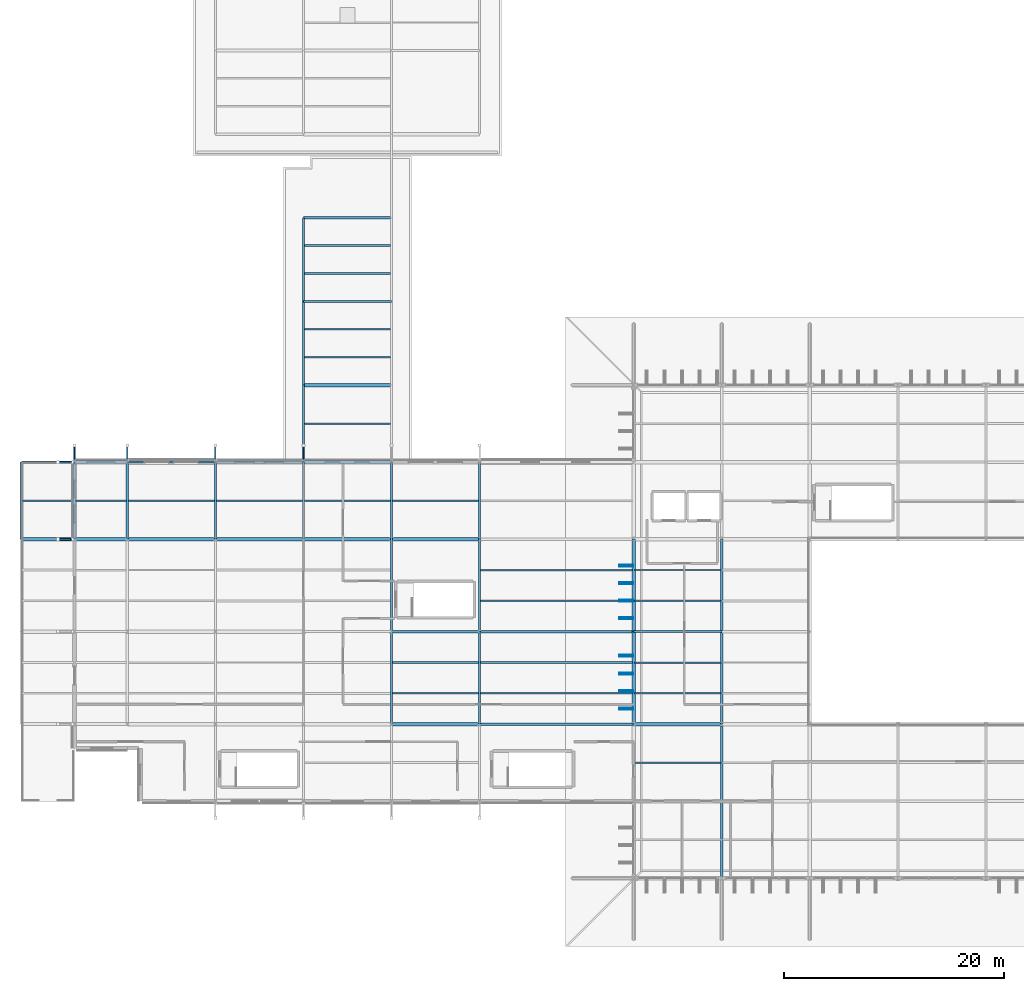
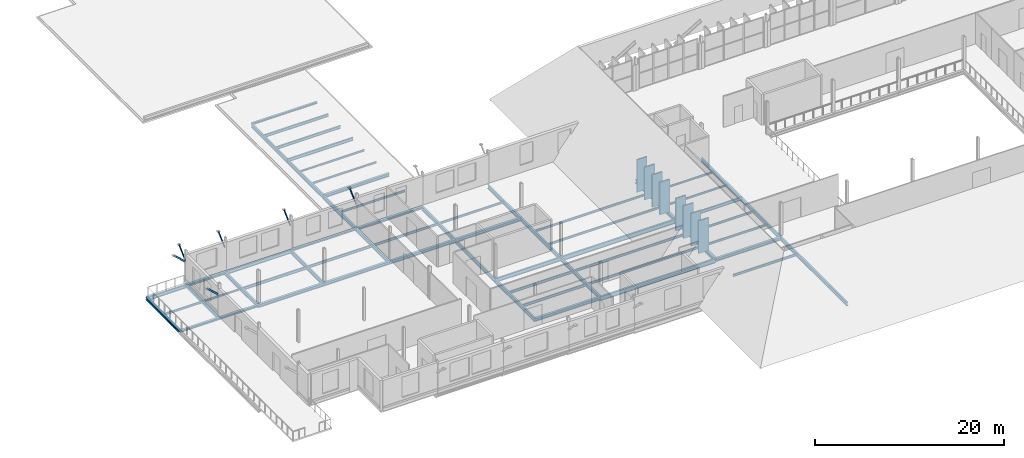
# One storey, part 21 of 93: 61 beams, 14 members.
"""IFC4 building model written with IfcOpenShell, lengths in metres."""

from ifc_helpers import new_model, si_unit, direction, frame, origin, origin_2d, place, context, subcontext, project, spatial, hollow_rectangle, i_section, extrude, material, material_profile, profile_set, type_object, element, save


model = new_model("IFC4")

# Units and contexts
model_context = context("Model", 3, precision=1e-05, world=origin(), true_north=direction((0.0, 1.0)))
body_context = subcontext(model_context, "Body", "Model", "MODEL_VIEW")
ifc_project = project(units=[si_unit("LENGTHUNIT", "METRE"), si_unit("AREAUNIT", "SQUARE_METRE"), si_unit("VOLUMEUNIT", "CUBIC_METRE"), si_unit("PLANEANGLEUNIT", "RADIAN"), si_unit("MASSUNIT", "GRAM", prefix="KILO")], contexts=[model_context])

# Site, building, storey
site_placement = place(None, origin())
site = spatial("IfcSite", under=ifc_project, at=site_placement, CompositionType="ELEMENT")
building_placement = place(site_placement, origin())
building = spatial("IfcBuilding", under=site, at=building_placement, Name="Vekula Escarpment Museum", CompositionType="ELEMENT")
storey_placement = place(building_placement, frame((0.0, 0.0, 22.199951171875)))
storey = spatial("IfcBuildingStorey", under=building, at=storey_placement, Name="L05", CompositionType="ELEMENT", Elevation=22.199951171875)

# Beams
ifc_material_1 = material(Name="Steel S355", Category="steel")
ifc_material_profile_1 = material_profile(ifc_material_1, i_section(OverallWidth=0.300048828125, OverallDepth=0.300048828125, WebThickness=0.010986328125, FlangeThickness=0.01904296875, FilletRadius=0.027099609375, at=origin_2d()), Name="HEB 300")
ifc_profile_set_1 = profile_set([ifc_material_profile_1], Name="Steel S355")
beam_type_1 = type_object("IfcBeamType", Name="BM-GIRD-HEB300", PredefinedType="BEAM", material=ifc_profile_set_1)
beam_1_placement = place(storey_placement, frame((40.0, 83.39990234375, -0.369873046875), z_axis=(1.0, 0.0, 0.0), x_axis=(0.0, 1.0, 0.0)))
element("IfcBeam", 1, at=beam_1_placement, inside=storey, type_object=beam_type_1, Name="Beam X L05 2033", PredefinedType="BEAM", context=body_context, shape_type="SweptSolid", body=[
    extrude(i_section(OverallWidth=0.300048828125, OverallDepth=0.300048828125, WebThickness=0.010986328125, FlangeThickness=0.01904296875, FilletRadius=0.027099609375, at=origin_2d()), origin(), (0.0, 0.0, 1.0), 8.0),
])
ifc_material_2 = material(Name="Steel S355", Category="steel")
ifc_material_profile_2 = material_profile(ifc_material_2, i_section(OverallWidth=0.300048828125, OverallDepth=0.320068359375, WebThickness=0.011474609375, FlangeThickness=0.0205078125, FilletRadius=0.027099609375, at=origin_2d()), Name="HEB 320")
ifc_profile_set_2 = profile_set([ifc_material_profile_2], Name="Steel S355")
beam_type_2 = type_object("IfcBeamType", Name="BM-GIRD-HEB320", PredefinedType="BEAM", material=ifc_profile_set_2)
beam_2_placement = place(storey_placement, frame((19.199951171875, 83.39990234375, -0.3798828125), z_axis=(1.0, 0.0, 0.0), x_axis=(0.0, 1.0, 0.0)))
element("IfcBeam", 2, at=beam_2_placement, inside=storey, type_object=beam_type_2, Name="Beam X L05 2030", PredefinedType="BEAM", context=body_context, shape_type="SweptSolid", body=[
    extrude(i_section(OverallWidth=0.300048828125, OverallDepth=0.320068359375, WebThickness=0.011474609375, FlangeThickness=0.0205078125, FilletRadius=0.027099609375, at=origin_2d()), origin(), (0.0, 0.0, 1.0), 4.800048828125),
])
ifc_material_3 = material(Name="Steel S355", Category="steel")
ifc_material_profile_3 = material_profile(ifc_material_3, i_section(OverallWidth=0.179931640625, OverallDepth=0.39990234375, WebThickness=0.008544921875, FlangeThickness=0.013427734375, FilletRadius=0.02099609375, at=origin_2d()), Name="IPE 400")
ifc_profile_set_3 = profile_set([ifc_material_profile_3], Name="Steel S355")
beam_type_3 = type_object("IfcBeamType", Name="BM-GIRD-IPE400", PredefinedType="BEAM", material=ifc_profile_set_3)
for number, where, z_axis, x_axis, name in (
    (3, (70.0, 68.0, -0.419921875), (1.0, 0.0, 0.0), (0.0, 1.0, 0.0), "Beam X L05 1999"),
    (4, (40.0, 98.0, -0.39990234375), (1.0, 0.0, 0.0), (0.0, 1.0, 0.0), "Beam X L05 2055"),
):
    element("IfcBeam", number, at=place(storey_placement, frame(where, z_axis=z_axis, x_axis=x_axis)), inside=storey, type_object=beam_type_3, Name=name, PredefinedType="BEAM", context=body_context, shape_type="SweptSolid", body=[
        extrude(i_section(OverallWidth=0.179931640625, OverallDepth=0.39990234375, WebThickness=0.008544921875, FlangeThickness=0.013427734375, FilletRadius=0.02099609375, at=origin_2d()), origin(), (0.0, 0.0, 1.0), 8.0),
    ])
ifc_material_4 = material(Name="Steel S355", Category="steel")
ifc_material_profile_4 = material_profile(ifc_material_4, i_section(OverallWidth=0.18994140625, OverallDepth=0.449951171875, WebThickness=0.009521484375, FlangeThickness=0.0146484375, FilletRadius=0.02099609375, at=origin_2d()), Name="IPE 450")
ifc_profile_set_4 = profile_set([ifc_material_profile_4], Name="Steel S355")
beam_type_4 = type_object("IfcBeamType", Name="BM-GIRD-IPE450", PredefinedType="BEAM", material=ifc_profile_set_4)
beam_3_placement = place(storey_placement, frame((14.39990234375, 83.39990234375, -0.445068359375), z_axis=(1.0, 0.0, 0.0), x_axis=(0.0, 1.0, 0.0)))
element("IfcBeam", 5, at=beam_3_placement, inside=storey, type_object=beam_type_4, Name="Beam X L05 2029", PredefinedType="BEAM", context=body_context, shape_type="SweptSolid", body=[
    extrude(i_section(OverallWidth=0.18994140625, OverallDepth=0.449951171875, WebThickness=0.009521484375, FlangeThickness=0.0146484375, FilletRadius=0.02099609375, at=origin_2d()), origin(), (0.0, 0.0, 1.0), 4.800048828125),
])
beam_4_placement = place(storey_placement, frame((24.0, 83.39990234375, -0.445068359375), z_axis=(1.0, 0.0, 0.0), x_axis=(0.0, 1.0, 0.0)))
element("IfcBeam", 6, at=beam_4_placement, inside=storey, type_object=beam_type_4, Name="Beam X L05 2031", PredefinedType="BEAM", context=body_context, shape_type="SweptSolid", body=[
    extrude(i_section(OverallWidth=0.18994140625, OverallDepth=0.449951171875, WebThickness=0.009521484375, FlangeThickness=0.0146484375, FilletRadius=0.02099609375, at=origin_2d()), origin(), (0.0, 0.0, 1.0), 8.0),
])
ifc_material_5 = material(Name="Steel S355", Category="steel")
ifc_material_profile_5 = material_profile(ifc_material_5, i_section(OverallWidth=0.199951171875, OverallDepth=0.5, WebThickness=0.01025390625, FlangeThickness=0.01611328125, FilletRadius=0.02099609375, at=origin_2d()), Name="IPE 500")
ifc_profile_set_5 = profile_set([ifc_material_profile_5], Name="Steel S355")
beam_type_5 = type_object("IfcBeamType", Name="BM-GIRD-IPE500", PredefinedType="BEAM", material=ifc_profile_set_5)
beam_5_placement = place(storey_placement, frame((48.0, 68.0, -0.469970703125), z_axis=(1.0, 0.0, 0.0), x_axis=(0.0, 1.0, 0.0)))
element("IfcBeam", 7, at=beam_5_placement, inside=storey, type_object=beam_type_5, Name="Beam X L05 1997", PredefinedType="BEAM", context=body_context, shape_type="SweptSolid", body=[
    extrude(i_section(OverallWidth=0.199951171875, OverallDepth=0.5, WebThickness=0.01025390625, FlangeThickness=0.01611328125, FilletRadius=0.02099609375, at=origin_2d()), origin(), (0.0, 0.0, 1.0), 8.0),
])
for number, where, z_axis, x_axis, name in (
    (8, (24.0, 76.39990234375, -0.469970703125), (0.0, 1.0, 0.0), (-1.0, 0.0, 0.0), "Beam Y L05 2087"),
    (9, (32.0, 76.39990234375, -0.469970703125), (0.0, 1.0, 0.0), (-1.0, 0.0, 0.0), "Beam Y L05 2091"),
    (10, (40.0, 76.39990234375, -0.469970703125), (0.0, 1.0, 0.0), (-1.0, 0.0, 0.0), "Beam Y L05 2097"),
    (11, (40.0, 83.39990234375, -0.469970703125), (0.0, 1.0, 0.0), (-1.0, 0.0, 0.0), "Beam Y L05 2098"),
):
    element("IfcBeam", number, at=place(storey_placement, frame(where, z_axis=z_axis, x_axis=x_axis)), inside=storey, type_object=beam_type_5, Name=name, PredefinedType="BEAM", context=body_context, shape_type="SweptSolid", body=[
        extrude(i_section(OverallWidth=0.199951171875, OverallDepth=0.5, WebThickness=0.01025390625, FlangeThickness=0.01611328125, FilletRadius=0.02099609375, at=origin_2d()), origin(), (0.0, 0.0, 1.0), 7.0),
    ])
for number, where, z_axis, x_axis, name in (
    (12, (40.0, 90.39990234375, -0.449951171875), (0.0, 1.0, 0.0), (-1.0, 0.0, 0.0), "Beam Y L05 2099"),
    (13, (40.0, 98.0, -0.449951171875), (0.0, 1.0, 0.0), (-1.0, 0.0, 0.0), "Beam Y L05 2100"),
):
    element("IfcBeam", number, at=place(storey_placement, frame(where, z_axis=z_axis, x_axis=x_axis)), inside=storey, type_object=beam_type_5, Name=name, PredefinedType="BEAM", context=body_context, shape_type="SweptSolid", body=[
        extrude(i_section(OverallWidth=0.199951171875, OverallDepth=0.5, WebThickness=0.01025390625, FlangeThickness=0.01611328125, FilletRadius=0.02099609375, at=origin_2d()), origin(), (0.0, 0.0, 1.0), 7.60009765625),
    ])
for number, where, z_axis, x_axis, name in (
    (14, (48.0, 59.60009765625, -0.469970703125), (0.0, 1.0, 0.0), (-1.0, 0.0, 0.0), "Beam Y L05 2105"),
    (15, (48.0, 68.0, -0.469970703125), (0.0, 1.0, 0.0), (-1.0, 0.0, 0.0), "Beam Y L05 2106"),
):
    element("IfcBeam", number, at=place(storey_placement, frame(where, z_axis=z_axis, x_axis=x_axis)), inside=storey, type_object=beam_type_5, Name=name, PredefinedType="BEAM", context=body_context, shape_type="SweptSolid", body=[
        extrude(i_section(OverallWidth=0.199951171875, OverallDepth=0.5, WebThickness=0.01025390625, FlangeThickness=0.01611328125, FilletRadius=0.02099609375, at=origin_2d()), origin(), (0.0, 0.0, 1.0), 8.39990234375),
    ])
beam_6_placement = place(storey_placement, frame((48.0, 76.39990234375, -0.469970703125), z_axis=(0.0, 1.0, 0.0), x_axis=(-1.0, 0.0, 0.0)))
element("IfcBeam", 16, at=beam_6_placement, inside=storey, type_object=beam_type_5, Name="Beam Y L05 2107", PredefinedType="BEAM", context=body_context, shape_type="SweptSolid", body=[
    extrude(i_section(OverallWidth=0.199951171875, OverallDepth=0.5, WebThickness=0.01025390625, FlangeThickness=0.01611328125, FilletRadius=0.02099609375, at=origin_2d()), origin(), (0.0, 0.0, 1.0), 7.0),
])
for number, where, z_axis, x_axis, name in (
    (17, (56.0, 59.60009765625, -0.469970703125), (0.0, 1.0, 0.0), (-1.0, 0.0, 0.0), "Beam Y L05 2116"),
    (18, (56.0, 68.0, -0.469970703125), (0.0, 1.0, 0.0), (-1.0, 0.0, 0.0), "Beam Y L05 2117"),
):
    element("IfcBeam", number, at=place(storey_placement, frame(where, z_axis=z_axis, x_axis=x_axis)), inside=storey, type_object=beam_type_5, Name=name, PredefinedType="BEAM", context=body_context, shape_type="SweptSolid", body=[
        extrude(i_section(OverallWidth=0.199951171875, OverallDepth=0.5, WebThickness=0.01025390625, FlangeThickness=0.01611328125, FilletRadius=0.02099609375, at=origin_2d()), origin(), (0.0, 0.0, 1.0), 8.39990234375),
    ])
beam_7_placement = place(storey_placement, frame((56.0, 76.39990234375, -0.469970703125), z_axis=(0.0, 1.0, 0.0), x_axis=(-1.0, 0.0, 0.0)))
element("IfcBeam", 19, at=beam_7_placement, inside=storey, type_object=beam_type_5, Name="Beam Y L05 2118", PredefinedType="BEAM", context=body_context, shape_type="SweptSolid", body=[
    extrude(i_section(OverallWidth=0.199951171875, OverallDepth=0.5, WebThickness=0.01025390625, FlangeThickness=0.01611328125, FilletRadius=0.02099609375, at=origin_2d()), origin(), (0.0, 0.0, 1.0), 7.0),
])
beam_8_placement = place(storey_placement, frame((78.0, 45.60009765625, -0.469970703125), z_axis=(0.0, 1.0, 0.0), x_axis=(-1.0, 0.0, 0.0)))
element("IfcBeam", 20, at=beam_8_placement, inside=storey, type_object=beam_type_5, Name="Beam Y L05 2126", PredefinedType="BEAM", context=body_context, shape_type="SweptSolid", body=[
    extrude(i_section(OverallWidth=0.199951171875, OverallDepth=0.5, WebThickness=0.01025390625, FlangeThickness=0.01611328125, FilletRadius=0.02099609375, at=origin_2d()), origin(), (0.0, 0.0, 1.0), 14.0),
])
for number, where, z_axis, x_axis, name in (
    (21, (78.0, 59.60009765625, -0.469970703125), (0.0, 1.0, 0.0), (-1.0, 0.0, 0.0), "Beam Y L05 2127"),
    (22, (78.0, 68.0, -0.469970703125), (0.0, 1.0, 0.0), (-1.0, 0.0, 0.0), "Beam Y L05 2128"),
):
    element("IfcBeam", number, at=place(storey_placement, frame(where, z_axis=z_axis, x_axis=x_axis)), inside=storey, type_object=beam_type_5, Name=name, PredefinedType="BEAM", context=body_context, shape_type="SweptSolid", body=[
        extrude(i_section(OverallWidth=0.199951171875, OverallDepth=0.5, WebThickness=0.01025390625, FlangeThickness=0.01611328125, FilletRadius=0.02099609375, at=origin_2d()), origin(), (0.0, 0.0, 1.0), 8.39990234375),
    ])
ifc_material_6 = material(Name="Steel S355", Category="steel")
ifc_material_profile_6 = material_profile(ifc_material_6, i_section(OverallWidth=0.2099609375, OverallDepth=0.550048828125, WebThickness=0.010986328125, FlangeThickness=0.01708984375, FilletRadius=0.02392578125, at=origin_2d()), Name="IPE 550")
ifc_profile_set_6 = profile_set([ifc_material_profile_6], Name="Steel S355")
beam_type_6 = type_object("IfcBeamType", Name="BM-GIRD-IPE550", PredefinedType="BEAM", material=ifc_profile_set_6)
for number, where, z_axis, x_axis, name in (
    (23, (56.0, 59.60009765625, -0.494873046875), (1.0, 0.0, 0.0), (0.0, 1.0, 0.0), "Beam X L05 1981"),
    (24, (56.0, 68.0, -0.494873046875), (1.0, 0.0, 0.0), (0.0, 1.0, 0.0), "Beam X L05 1998"),
):
    element("IfcBeam", number, at=place(storey_placement, frame(where, z_axis=z_axis, x_axis=x_axis)), inside=storey, type_object=beam_type_6, Name=name, PredefinedType="BEAM", context=body_context, shape_type="SweptSolid", body=[
        extrude(i_section(OverallWidth=0.2099609375, OverallDepth=0.550048828125, WebThickness=0.010986328125, FlangeThickness=0.01708984375, FilletRadius=0.02392578125, at=origin_2d()), origin(), (0.0, 0.0, 1.0), 14.0),
    ])
ifc_material_7 = material(Name="Steel S355", Category="steel")
ifc_material_profile_7 = material_profile(ifc_material_7, i_section(OverallWidth=0.1201171875, OverallDepth=0.239990234375, WebThickness=0.006103515625, FlangeThickness=0.009765625, FilletRadius=0.014892578125, at=origin_2d()), Name="IPE 240")
ifc_profile_set_7 = profile_set([ifc_material_profile_7], Name="Steel S355")
beam_type_7 = type_object("IfcBeamType", Name="BM-JST-IPE240", PredefinedType="JOIST", material=ifc_profile_set_7)
beam_9_placement = place(storey_placement, frame((19.2900390625, 79.89990234375, -0.33984375), z_axis=(1.0, 0.0, 0.0), x_axis=(0.0, 1.0, 0.0)))
element("IfcBeam", 25, at=beam_9_placement, inside=storey, type_object=beam_type_7, Name="Secondary Joist L05 1297", PredefinedType="JOIST", context=body_context, shape_type="SweptSolid", body=[
    extrude(i_section(OverallWidth=0.1201171875, OverallDepth=0.239990234375, WebThickness=0.006103515625, FlangeThickness=0.009765625, FilletRadius=0.014892578125, at=origin_2d()), origin(), (0.0, 0.0, 1.0), 4.619873046875),
])
for number, where, z_axis, x_axis, name in (
    (26, (40.090087890625, 92.933349609375, -0.320068359375), (1.0, 0.0, 0.0), (0.0, 1.0, 0.0), "Secondary Joist L05 1317"),
    (27, (40.090087890625, 95.466796875, -0.320068359375), (1.0, 0.0, 0.0), (0.0, 1.0, 0.0), "Secondary Joist L05 1318"),
    (28, (70.090087890625, 70.800048828125, -0.33984375), (1.0, 0.0, 0.0), (0.0, 1.0, 0.0), "Secondary Joist L05 1344"),
    (29, (70.090087890625, 73.60009765625, -0.33984375), (1.0, 0.0, 0.0), (0.0, 1.0, 0.0), "Secondary Joist L05 1345"),
):
    element("IfcBeam", number, at=place(storey_placement, frame(where, z_axis=z_axis, x_axis=x_axis)), inside=storey, type_object=beam_type_7, Name=name, PredefinedType="JOIST", context=body_context, shape_type="SweptSolid", body=[
        extrude(i_section(OverallWidth=0.1201171875, OverallDepth=0.239990234375, WebThickness=0.006103515625, FlangeThickness=0.009765625, FilletRadius=0.014892578125, at=origin_2d()), origin(), (0.0, 0.0, 1.0), 7.81982421875),
    ])
ifc_material_8 = material(Name="Steel S355", Category="steel")
ifc_material_profile_8 = material_profile(ifc_material_8, i_section(OverallWidth=0.135009765625, OverallDepth=0.27001953125, WebThickness=0.006591796875, FlangeThickness=0.01025390625, FilletRadius=0.014892578125, at=origin_2d()), Name="IPE 270")
ifc_profile_set_8 = profile_set([ifc_material_profile_8], Name="Steel S355")
beam_type_8 = type_object("IfcBeamType", Name="BM-JST-IPE270", PredefinedType="JOIST", material=ifc_profile_set_8)
beam_10_placement = place(storey_placement, frame((14.489990234375, 79.89990234375, -0.35498046875), z_axis=(1.0, 0.0, 0.0), x_axis=(0.0, 1.0, 0.0)))
element("IfcBeam", 30, at=beam_10_placement, inside=storey, type_object=beam_type_8, Name="Secondary Joist L05 1292", PredefinedType="JOIST", context=body_context, shape_type="SweptSolid", body=[
    extrude(i_section(OverallWidth=0.135009765625, OverallDepth=0.27001953125, WebThickness=0.006591796875, FlangeThickness=0.01025390625, FilletRadius=0.014892578125, at=origin_2d()), origin(), (0.0, 0.0, 1.0), 4.6201171875),
])
for number, where, z_axis, x_axis, name in (
    (31, (40.090087890625, 86.89990234375, -0.35498046875), (1.0, 0.0, 0.0), (0.0, 1.0, 0.0), "Secondary Joist L05 1316"),
    (32, (48.090087890625, 79.89990234375, -0.35498046875), (1.0, 0.0, 0.0), (0.0, 1.0, 0.0), "Secondary Joist L05 1330"),
):
    element("IfcBeam", number, at=place(storey_placement, frame(where, z_axis=z_axis, x_axis=x_axis)), inside=storey, type_object=beam_type_8, Name=name, PredefinedType="JOIST", context=body_context, shape_type="SweptSolid", body=[
        extrude(i_section(OverallWidth=0.135009765625, OverallDepth=0.27001953125, WebThickness=0.006591796875, FlangeThickness=0.01025390625, FilletRadius=0.014892578125, at=origin_2d()), origin(), (0.0, 0.0, 1.0), 7.81982421875),
    ])
for number, where, z_axis, x_axis, name in (
    (33, (56.090087890625, 70.800048828125, -0.35498046875), (1.0, 0.0, 0.0), (0.0, 1.0, 0.0), "Secondary Joist L05 1337"),
    (34, (56.090087890625, 73.60009765625, -0.35498046875), (1.0, 0.0, 0.0), (0.0, 1.0, 0.0), "Secondary Joist L05 1338"),
):
    element("IfcBeam", number, at=place(storey_placement, frame(where, z_axis=z_axis, x_axis=x_axis)), inside=storey, type_object=beam_type_8, Name=name, PredefinedType="JOIST", context=body_context, shape_type="SweptSolid", body=[
        extrude(i_section(OverallWidth=0.135009765625, OverallDepth=0.27001953125, WebThickness=0.006591796875, FlangeThickness=0.01025390625, FilletRadius=0.014892578125, at=origin_2d()), origin(), (0.0, 0.0, 1.0), 13.81982421875),
    ])
for number, where, z_axis, x_axis, name in (
    (35, (70.090087890625, 62.39990234375, -0.35498046875), (1.0, 0.0, 0.0), (0.0, 1.0, 0.0), "Secondary Joist L05 1342"),
    (36, (70.090087890625, 65.199951171875, -0.35498046875), (1.0, 0.0, 0.0), (0.0, 1.0, 0.0), "Secondary Joist L05 1343"),
):
    element("IfcBeam", number, at=place(storey_placement, frame(where, z_axis=z_axis, x_axis=x_axis)), inside=storey, type_object=beam_type_8, Name=name, PredefinedType="JOIST", context=body_context, shape_type="SweptSolid", body=[
        extrude(i_section(OverallWidth=0.135009765625, OverallDepth=0.27001953125, WebThickness=0.006591796875, FlangeThickness=0.01025390625, FilletRadius=0.014892578125, at=origin_2d()), origin(), (0.0, 0.0, 1.0), 7.81982421875),
    ])
ifc_material_9 = material(Name="Steel S355", Category="steel")
ifc_material_profile_9 = material_profile(ifc_material_9, i_section(OverallWidth=0.14990234375, OverallDepth=0.300048828125, WebThickness=0.007080078125, FlangeThickness=0.0107421875, FilletRadius=0.014892578125, at=origin_2d()), Name="IPE 300")
ifc_profile_set_9 = profile_set([ifc_material_profile_9], Name="Steel S355")
beam_type_9 = type_object("IfcBeamType", Name="BM-JST-IPE300", PredefinedType="JOIST", material=ifc_profile_set_9)
beam_11_placement = place(storey_placement, frame((40.090087890625, 79.89990234375, -0.369873046875), z_axis=(1.0, 0.0, 0.0), x_axis=(0.0, 1.0, 0.0)))
element("IfcBeam", 37, at=beam_11_placement, inside=storey, type_object=beam_type_9, Name="Secondary Joist L05 1315", PredefinedType="JOIST", context=body_context, shape_type="SweptSolid", body=[
    extrude(i_section(OverallWidth=0.14990234375, OverallDepth=0.300048828125, WebThickness=0.007080078125, FlangeThickness=0.0107421875, FilletRadius=0.014892578125, at=origin_2d()), origin(), (0.0, 0.0, 1.0), 7.81982421875),
])
for number, where, z_axis, x_axis, name in (
    (38, (56.090087890625, 62.39990234375, -0.369873046875), (1.0, 0.0, 0.0), (0.0, 1.0, 0.0), "Secondary Joist L05 1335"),
    (39, (56.090087890625, 65.199951171875, -0.369873046875), (1.0, 0.0, 0.0), (0.0, 1.0, 0.0), "Secondary Joist L05 1336"),
):
    element("IfcBeam", number, at=place(storey_placement, frame(where, z_axis=z_axis, x_axis=x_axis)), inside=storey, type_object=beam_type_9, Name=name, PredefinedType="JOIST", context=body_context, shape_type="SweptSolid", body=[
        extrude(i_section(OverallWidth=0.14990234375, OverallDepth=0.300048828125, WebThickness=0.007080078125, FlangeThickness=0.0107421875, FilletRadius=0.014892578125, at=origin_2d()), origin(), (0.0, 0.0, 1.0), 13.81982421875),
    ])
beam_12_placement = place(storey_placement, frame((70.090087890625, 56.10009765625, -0.369873046875), z_axis=(1.0, 0.0, 0.0), x_axis=(0.0, 1.0, 0.0)))
element("IfcBeam", 40, at=beam_12_placement, inside=storey, type_object=beam_type_9, Name="Secondary Joist L05 1341", PredefinedType="JOIST", context=body_context, shape_type="SweptSolid", body=[
    extrude(i_section(OverallWidth=0.14990234375, OverallDepth=0.300048828125, WebThickness=0.007080078125, FlangeThickness=0.0107421875, FilletRadius=0.014892578125, at=origin_2d()), origin(), (0.0, 0.0, 1.0), 7.81982421875),
])
ifc_material_10 = material(Name="Steel S355", Category="steel")
ifc_material_profile_10 = material_profile(ifc_material_10, i_section(OverallWidth=0.159912109375, OverallDepth=0.330078125, WebThickness=0.007568359375, FlangeThickness=0.011474609375, FilletRadius=0.01806640625, at=origin_2d()), Name="IPE 330")
ifc_profile_set_10 = profile_set([ifc_material_profile_10], Name="Steel S355")
beam_type_10 = type_object("IfcBeamType", Name="BM-JST-IPE330", PredefinedType="JOIST", material=ifc_profile_set_10)
for number, where, z_axis, x_axis, name in (
    (41, (32.090087890625, 79.89990234375, -0.385009765625), (1.0, 0.0, 0.0), (0.0, 1.0, 0.0), "Secondary Joist L05 1307"),
    (42, (48.090087890625, 62.39990234375, -0.385009765625), (1.0, 0.0, 0.0), (0.0, 1.0, 0.0), "Secondary Joist L05 1328"),
    (43, (48.090087890625, 65.199951171875, -0.385009765625), (1.0, 0.0, 0.0), (0.0, 1.0, 0.0), "Secondary Joist L05 1329"),
):
    element("IfcBeam", number, at=place(storey_placement, frame(where, z_axis=z_axis, x_axis=x_axis)), inside=storey, type_object=beam_type_10, Name=name, PredefinedType="JOIST", context=body_context, shape_type="SweptSolid", body=[
        extrude(i_section(OverallWidth=0.159912109375, OverallDepth=0.330078125, WebThickness=0.007568359375, FlangeThickness=0.011474609375, FilletRadius=0.01806640625, at=origin_2d()), origin(), (0.0, 0.0, 1.0), 7.81982421875),
    ])
ifc_material_11 = material(Name="Steel S355", Category="steel")
ifc_material_profile_11 = material_profile(ifc_material_11, i_section(OverallWidth=0.169921875, OverallDepth=0.360107421875, WebThickness=0.008056640625, FlangeThickness=0.0126953125, FilletRadius=0.01806640625, at=origin_2d()), Name="IPE 360")
ifc_profile_set_11 = profile_set([ifc_material_profile_11], Name="Steel S355")
beam_type_11 = type_object("IfcBeamType", Name="BM-JST-IPE360", PredefinedType="JOIST", material=ifc_profile_set_11)
for number, where, z_axis, x_axis, name in (
    (44, (24.090087890625, 79.89990234375, -0.39990234375), (1.0, 0.0, 0.0), (0.0, 1.0, 0.0), "Secondary Joist L05 1302"),
    (45, (40.090087890625, 100.533203125, -0.3798828125), (1.0, 0.0, 0.0), (0.0, 1.0, 0.0), "Secondary Joist L05 1319"),
    (46, (40.090087890625, 103.066650390625, -0.3798828125), (1.0, 0.0, 0.0), (0.0, 1.0, 0.0), "Secondary Joist L05 1320"),
):
    element("IfcBeam", number, at=place(storey_placement, frame(where, z_axis=z_axis, x_axis=x_axis)), inside=storey, type_object=beam_type_11, Name=name, PredefinedType="JOIST", context=body_context, shape_type="SweptSolid", body=[
        extrude(i_section(OverallWidth=0.169921875, OverallDepth=0.360107421875, WebThickness=0.008056640625, FlangeThickness=0.0126953125, FilletRadius=0.01806640625, at=origin_2d()), origin(), (0.0, 0.0, 1.0), 7.81982421875),
    ])
ifc_material_12 = material(Name="Steel S355", Category="steel")
ifc_material_profile_12 = material_profile(ifc_material_12, i_section(OverallWidth=0.239990234375, OverallDepth=0.22998046875, WebThickness=0.007568359375, FlangeThickness=0.011962890625, FilletRadius=0.02099609375, at=origin_2d()), Name="HEA 240")
ifc_profile_set_12 = profile_set([ifc_material_profile_12], Name="Steel S355")
beam_type_12 = type_object("IfcBeamType", Name="BM-SPAN-HEA240", PredefinedType="SPANDREL", material=ifc_profile_set_12)
for number, where, z_axis, x_axis, name in (
    (47, (32.0, 83.39990234375, -0.3349609375), (1.0, 0.0, 0.0), (0.0, 1.0, 0.0), "Beam X L05 2032"),
    (48, (40.0, 105.60009765625, -0.31494140625), (1.0, 0.0, 0.0), (0.0, 1.0, 0.0), "Beam X L05 2059"),
):
    element("IfcBeam", number, at=place(storey_placement, frame(where, z_axis=z_axis, x_axis=x_axis)), inside=storey, type_object=beam_type_12, Name=name, PredefinedType="SPANDREL", context=body_context, shape_type="SweptSolid", body=[
        extrude(i_section(OverallWidth=0.239990234375, OverallDepth=0.22998046875, WebThickness=0.007568359375, FlangeThickness=0.011962890625, FilletRadius=0.02099609375, at=origin_2d()), origin(), (0.0, 0.0, 1.0), 8.0),
    ])
ifc_material_13 = material(Name="Steel S355", Category="steel")
ifc_material_profile_13 = material_profile(ifc_material_13, i_section(OverallWidth=0.280029296875, OverallDepth=0.27001953125, WebThickness=0.008056640625, FlangeThickness=0.012939453125, FilletRadius=0.02392578125, at=origin_2d()), Name="HEA 280")
ifc_profile_set_13 = profile_set([ifc_material_profile_13], Name="Steel S355")
beam_type_13 = type_object("IfcBeamType", Name="BM-SPAN-HEA280", PredefinedType="SPANDREL", material=ifc_profile_set_13)
for number, where, z_axis, x_axis, name in (
    (49, (14.39990234375, 76.39990234375, -0.35498046875), (1.0, 0.0, 0.0), (0.0, 1.0, 0.0), "Beam X L05 2009"),
    (50, (19.199951171875, 76.39990234375, -0.35498046875), (1.0, 0.0, 0.0), (0.0, 1.0, 0.0), "Beam X L05 2010"),
):
    element("IfcBeam", number, at=place(storey_placement, frame(where, z_axis=z_axis, x_axis=x_axis)), inside=storey, type_object=beam_type_13, Name=name, PredefinedType="SPANDREL", context=body_context, shape_type="SweptSolid", body=[
        extrude(i_section(OverallWidth=0.280029296875, OverallDepth=0.27001953125, WebThickness=0.008056640625, FlangeThickness=0.012939453125, FilletRadius=0.02392578125, at=origin_2d()), origin(), (0.0, 0.0, 1.0), 4.800048828125),
    ])
ifc_material_14 = material(Name="Steel S355", Category="steel")
ifc_material_profile_14 = material_profile(ifc_material_14, i_section(OverallWidth=0.300048828125, OverallDepth=0.2900390625, WebThickness=0.008544921875, FlangeThickness=0.013916015625, FilletRadius=0.027099609375, at=origin_2d()), Name="HEA 300")
ifc_profile_set_14 = profile_set([ifc_material_profile_14], Name="Steel S355")
beam_type_14 = type_object("IfcBeamType", Name="BM-SPAN-HEA300", PredefinedType="SPANDREL", material=ifc_profile_set_14)
for number, where, z_axis, x_axis, name in (
    (51, (14.39990234375, 76.39990234375, -0.344970703125), (0.0, 1.0, 0.0), (-1.0, 0.0, 0.0), "Beam Y L05 2081"),
    (52, (19.199951171875, 76.39990234375, -0.364990234375), (0.0, 1.0, 0.0), (-1.0, 0.0, 0.0), "Beam Y L05 2084"),
):
    element("IfcBeam", number, at=place(storey_placement, frame(where, z_axis=z_axis, x_axis=x_axis)), inside=storey, type_object=beam_type_14, Name=name, PredefinedType="SPANDREL", context=body_context, shape_type="SweptSolid", body=[
        extrude(i_section(OverallWidth=0.300048828125, OverallDepth=0.2900390625, WebThickness=0.008544921875, FlangeThickness=0.013916015625, FilletRadius=0.027099609375, at=origin_2d()), origin(), (0.0, 0.0, 1.0), 7.0),
    ])
ifc_material_15 = material(Name="Steel S355", Category="steel")
ifc_material_profile_15 = material_profile(ifc_material_15, i_section(OverallWidth=0.300048828125, OverallDepth=0.389892578125, WebThickness=0.010986328125, FlangeThickness=0.01904296875, FilletRadius=0.027099609375, at=origin_2d()), Name="HEA 400")
ifc_profile_set_15 = profile_set([ifc_material_profile_15], Name="Steel S355")
beam_type_15 = type_object("IfcBeamType", Name="BM-SPAN-HEA400", PredefinedType="SPANDREL", material=ifc_profile_set_15)
for number, where, z_axis, x_axis, name in (
    (53, (48.0, 59.60009765625, -0.4150390625), (1.0, 0.0, 0.0), (0.0, 1.0, 0.0), "Beam X L05 1980"),
    (54, (70.0, 59.60009765625, -0.4150390625), (1.0, 0.0, 0.0), (0.0, 1.0, 0.0), "Beam X L05 1982"),
    (55, (24.0, 76.39990234375, -0.4150390625), (1.0, 0.0, 0.0), (0.0, 1.0, 0.0), "Beam X L05 2011"),
    (56, (32.0, 76.39990234375, -0.4150390625), (1.0, 0.0, 0.0), (0.0, 1.0, 0.0), "Beam X L05 2012"),
    (57, (40.0, 76.39990234375, -0.4150390625), (1.0, 0.0, 0.0), (0.0, 1.0, 0.0), "Beam X L05 2013"),
    (58, (48.0, 76.39990234375, -0.4150390625), (1.0, 0.0, 0.0), (0.0, 1.0, 0.0), "Beam X L05 2014"),
    (59, (40.0, 90.39990234375, -0.39501953125), (1.0, 0.0, 0.0), (0.0, 1.0, 0.0), "Beam X L05 2046"),
):
    element("IfcBeam", number, at=place(storey_placement, frame(where, z_axis=z_axis, x_axis=x_axis)), inside=storey, type_object=beam_type_15, Name=name, PredefinedType="SPANDREL", context=body_context, shape_type="SweptSolid", body=[
        extrude(i_section(OverallWidth=0.300048828125, OverallDepth=0.389892578125, WebThickness=0.010986328125, FlangeThickness=0.01904296875, FilletRadius=0.027099609375, at=origin_2d()), origin(), (0.0, 0.0, 1.0), 8.0),
    ])
ifc_material_16 = material(Name="Steel S355", Category="steel")
ifc_material_profile_16 = material_profile(ifc_material_16, i_section(OverallWidth=0.300048828125, OverallDepth=0.43994140625, WebThickness=0.011474609375, FlangeThickness=0.02099609375, FilletRadius=0.027099609375, at=origin_2d()), Name="HEA 450")
ifc_profile_set_16 = profile_set([ifc_material_profile_16], Name="Steel S355")
beam_type_16 = type_object("IfcBeamType", Name="BM-SPAN-HEA450", PredefinedType="SPANDREL", material=ifc_profile_set_16)
for number, where, z_axis, x_axis, name in (
    (60, (70.0, 59.60009765625, -0.43994140625), (0.0, 1.0, 0.0), (-1.0, 0.0, 0.0), "Beam Y L05 2123"),
    (61, (70.0, 68.0, -0.43994140625), (0.0, 1.0, 0.0), (-1.0, 0.0, 0.0), "Beam Y L05 2124"),
):
    element("IfcBeam", number, at=place(storey_placement, frame(where, z_axis=z_axis, x_axis=x_axis)), inside=storey, type_object=beam_type_16, Name=name, PredefinedType="SPANDREL", context=body_context, shape_type="SweptSolid", body=[
        extrude(i_section(OverallWidth=0.300048828125, OverallDepth=0.43994140625, WebThickness=0.011474609375, FlangeThickness=0.02099609375, FilletRadius=0.027099609375, at=origin_2d()), origin(), (0.0, 0.0, 1.0), 8.39990234375),
    ])

# Members
ifc_material_17 = material(Name="Steel S355", Category="steel")
ifc_material_profile_17 = material_profile(ifc_material_17, hollow_rectangle(XDim=0.10009765625, YDim=0.199951171875, WallThickness=0.008056640625, InnerFilletRadius=0.008056640625, OuterFilletRadius=0.01611328125, at=origin_2d()), Name="RHS 200x100x8")
ifc_profile_set_17 = profile_set([ifc_material_profile_17], Name="Steel S355")
member_type_1 = type_object("IfcMemberType", Name="MB-SACAK-BRK", PredefinedType="STRUT", material=ifc_profile_set_17)
for number, where, z_axis, x_axis, name in (
    (62, (19.080078125, 76.39990234375, 2.75), (-0.738513776389, 0.0, 0.674238386688), (0.0, -1.0, 0.0), "Ottoman Sacak Eave Bracket L06-0129"),
    (63, (19.080078125, 83.39990234375, 2.75), (-0.738513776389, 0.0, 0.674238386688), (0.0, -1.0, 0.0), "Ottoman Sacak Eave Bracket L06-0130"),
):
    element("IfcMember", number, at=place(storey_placement, frame(where, z_axis=z_axis, x_axis=x_axis)), inside=storey, type_object=member_type_1, Name=name, PredefinedType="STRUT", context=body_context, shape_type="SweptSolid", body=[
        extrude(hollow_rectangle(XDim=0.10009765625, YDim=0.199951171875, WallThickness=0.008056640625, InnerFilletRadius=0.008056640625, OuterFilletRadius=0.01611328125, at=origin_2d()), origin(), (0.0, 0.0, 1.0), 1.868896484375),
    ])
for number, where, z_axis, x_axis, name in (
    (64, (19.199951171875, 83.52001953125, 2.75), (0.0, 0.738454378718, 0.674303441006), (-1.0, 0.0, 0.0), "Ottoman Sacak Eave Bracket L06-0131"),
    (65, (24.0, 83.52001953125, 2.75), (0.0, 0.738454378718, 0.674303441006), (-1.0, 0.0, 0.0), "Ottoman Sacak Eave Bracket L06-0132"),
    (66, (32.0, 83.52001953125, 2.75), (0.0, 0.738454378718, 0.674303441006), (-1.0, 0.0, 0.0), "Ottoman Sacak Eave Bracket L06-0134"),
    (67, (40.0, 83.52001953125, 2.75), (0.0, 0.738454378718, 0.674303441006), (-1.0, 0.0, 0.0), "Ottoman Sacak Eave Bracket L06-0136"),
):
    element("IfcMember", number, at=place(storey_placement, frame(where, z_axis=z_axis, x_axis=x_axis)), inside=storey, type_object=member_type_1, Name=name, PredefinedType="STRUT", context=body_context, shape_type="SweptSolid", body=[
        extrude(hollow_rectangle(XDim=0.10009765625, YDim=0.199951171875, WallThickness=0.008056640625, InnerFilletRadius=0.008056640625, OuterFilletRadius=0.01611328125, at=origin_2d()), origin(), (0.0, 0.0, 1.0), 1.86865234375),
    ])
ifc_material_18 = material(Name="Steel S355 weathered bronze solar fin", Category="steel")
ifc_material_profile_18 = material_profile(ifc_material_18, hollow_rectangle(XDim=0.179931640625, YDim=1.25, WallThickness=0.010009765625, InnerFilletRadius=0.010009765625, OuterFilletRadius=0.02001953125, at=origin_2d()), Name="RHS 1250x180x10")
ifc_profile_set_18 = profile_set([ifc_material_profile_18], Name="Steel S355 weathered bronze solar fin")
member_type_2 = type_object("IfcMemberType", Name="MB-SOLAR-FIN", PredefinedType="USERDEFINED", material=ifc_profile_set_18)
for number, where, z_axis, x_axis, name in (
    (68, (69.320068359375, 61.0, 0.0), (0.0, 0.0, 1.0), (0.0, 1.0, 0.0), "Great Hall Vertical Solar Fin 0300"),
    (69, (69.320068359375, 62.60009765625, 0.0), (0.0, 0.0, 1.0), (0.0, 1.0, 0.0), "Great Hall Vertical Solar Fin 0305"),
    (70, (69.320068359375, 64.199951171875, 0.0), (0.0, 0.0, 1.0), (0.0, 1.0, 0.0), "Great Hall Vertical Solar Fin 0310"),
    (71, (69.320068359375, 65.800048828125, 0.0), (0.0, 0.0, 1.0), (0.0, 1.0, 0.0), "Great Hall Vertical Solar Fin 0315"),
    (72, (69.320068359375, 69.199951171875, 0.0), (0.0, 0.0, 1.0), (0.0, 1.0, 0.0), "Great Hall Vertical Solar Fin 0320"),
    (73, (69.320068359375, 70.800048828125, 0.0), (0.0, 0.0, 1.0), (0.0, 1.0, 0.0), "Great Hall Vertical Solar Fin 0325"),
    (74, (69.320068359375, 72.39990234375, 0.0), (0.0, 0.0, 1.0), (0.0, 1.0, 0.0), "Great Hall Vertical Solar Fin 0330"),
    (75, (69.320068359375, 74.0, 0.0), (0.0, 0.0, 1.0), (0.0, 1.0, 0.0), "Great Hall Vertical Solar Fin 0335"),
):
    element("IfcMember", number, at=place(storey_placement, frame(where, z_axis=z_axis, x_axis=x_axis)), inside=storey, type_object=member_type_2, Name=name, ObjectType="SOLAR FIN", PredefinedType="USERDEFINED", context=body_context, shape_type="SweptSolid", body=[
        extrude(hollow_rectangle(XDim=0.179931640625, YDim=1.25, WallThickness=0.010009765625, InnerFilletRadius=0.010009765625, OuterFilletRadius=0.02001953125, at=origin_2d()), origin(), (0.0, 0.0, 1.0), 4.199951171875),
    ])

save(model, "model.ifc")
